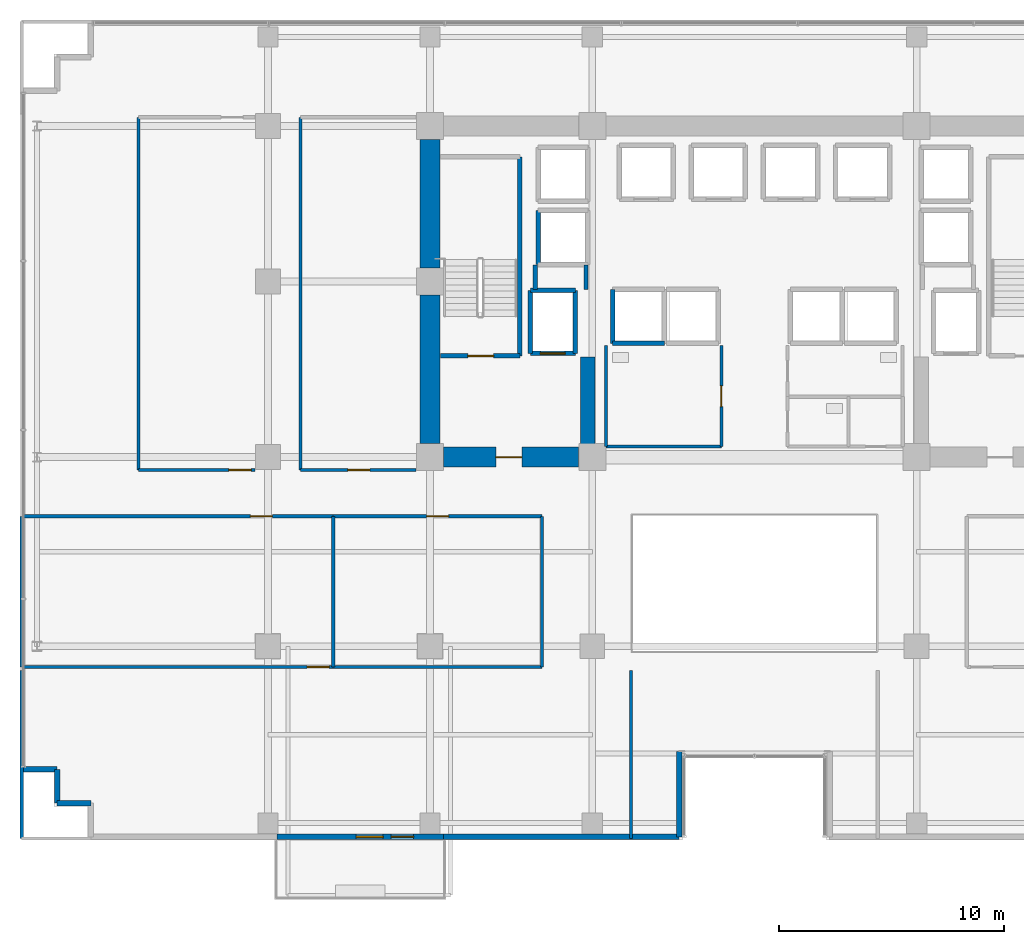
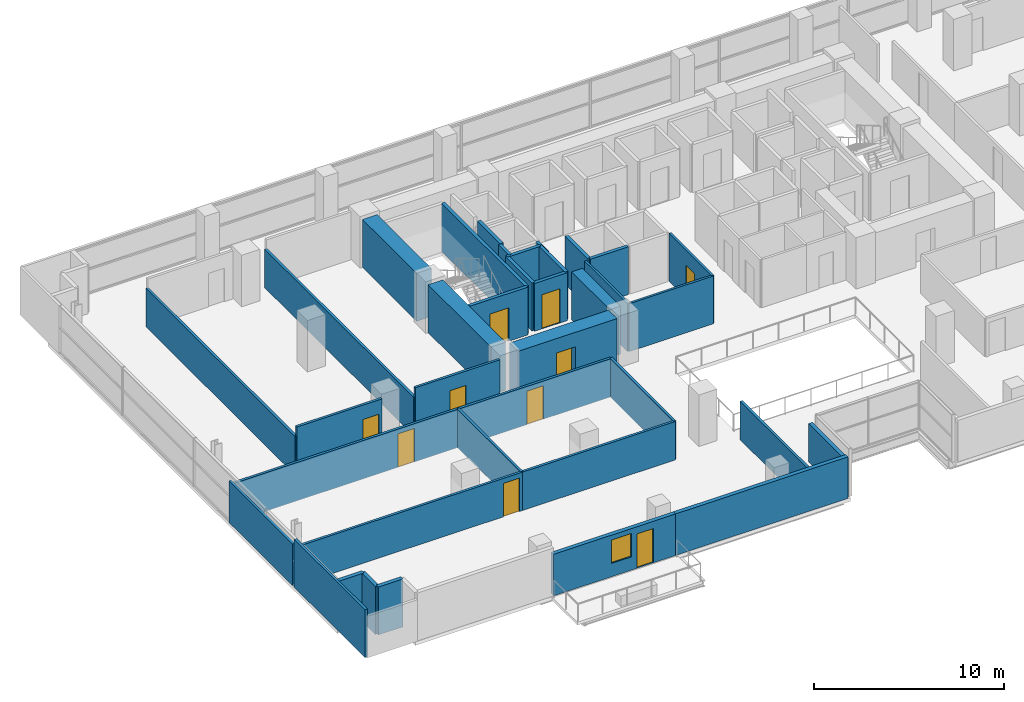
# One storey, part 22 of 29: 37 walls, 10 doors, 1 window, 11 openings.
"""IFC4 building model written with IfcOpenShell, lengths in metres."""

from ifc_helpers import new_model, si_unit, direction, frame, frame_2d, origin, place, context, subcontext, project, spatial, rectangle, extrude, source, transform, mapped, material, layer, layer_set, type_object, element, fill, save


model = new_model("IFC4")

# Units and contexts
model_context = context("Model", 3, precision=1e-05, world=origin(), true_north=direction((0.0, 1.0)))
body_context = subcontext(model_context, "Body", "Model", "MODEL_VIEW")
ifc_project = project(units=[si_unit("LENGTHUNIT", "METRE"), si_unit("AREAUNIT", "SQUARE_METRE"), si_unit("VOLUMEUNIT", "CUBIC_METRE"), si_unit("PLANEANGLEUNIT", "RADIAN"), si_unit("MASSUNIT", "GRAM", prefix="KILO")], contexts=[model_context])

# Site, building, storey
site_placement = place(None, origin())
site = spatial("IfcSite", under=ifc_project, at=site_placement, CompositionType="ELEMENT")
building_placement = place(site_placement, origin())
building = spatial("IfcBuilding", under=site, at=building_placement, Name="Zarnakvel Exchange Tower", CompositionType="ELEMENT")
storey_placement = place(building_placement, frame((0.0, 0.0, 37.300048828125)))
storey = spatial("IfcBuildingStorey", under=building, at=storey_placement, Name="L09", CompositionType="ELEMENT", Elevation=37.300048828125)

# Walls
ifc_material_1 = material(Name="Concrete C80/95", Category="concrete")
ifc_layer_1 = layer(ifc_material_1, 0.89990234375)
ifc_layer_set_1 = layer_set([ifc_layer_1], Name="Concrete C80/95")
wall_type_1 = type_object("IfcWallType", Name="CW-C1", PredefinedType="SHEAR", material=ifc_layer_set_1)
wall_1_placement = place(storey_placement, frame((-14.39990234375, -0.60009765625, 0.0), z_axis=(0.0, 0.0, 1.0), x_axis=(0.0, 1.0, 0.0)))
element("IfcWall", 1, at=wall_1_placement, inside=storey, type_object=wall_type_1, Name="L09 Rear Core Shear Wall W1 (CW-C1)", PredefinedType="SHEAR", context=body_context, shape_type="SweptSolid", body=[
    extrude(rectangle(XDim=6.60009765625, YDim=0.89990234375, at=frame_2d((3.300048828125, 0.0))), origin(), (0.0, 0.0, 1.0), 3.074951171875),
])
wall_2_placement = place(storey_placement, frame((-14.39990234375, 7.199951171875, 0.0), z_axis=(0.0, 0.0, 1.0), x_axis=(0.0, 1.0, 0.0)))
element("IfcWall", 2, at=wall_2_placement, inside=storey, type_object=wall_type_1, Name="L09 Rear Core Shear Wall W2 (CW-C1)", PredefinedType="SHEAR", context=body_context, shape_type="SweptSolid", body=[
    extrude(rectangle(XDim=5.699951171875, YDim=0.89990234375, at=frame_2d((2.85009765625, 0.0))), origin(), (0.0, 0.0, 1.0), 3.074951171875),
])

# Wall, opening, door
wall_3_placement = place(storey_placement, frame((-7.800048828125, -1.199951171875, 0.0), z_axis=(0.0, 0.0, 1.0), x_axis=(-1.0, 0.0, 0.0)))
wall_3 = element("IfcWall", 3, at=wall_3_placement, inside=storey, type_object=wall_type_1, Name="L09 Rear Core Shear Wall SW (CW-C1)", PredefinedType="SHEAR", context=body_context, shape_type="SweptSolid", body=[
    extrude(rectangle(XDim=6.0, YDim=0.89990234375, at=frame_2d((3.0, 0.0))), origin(), (0.0, 0.0, 1.0), 3.074951171875),
])
opening_1_placement = place(wall_3_placement, frame((2.52490234375, 0.0, 0.0)))
opening_1 = element("IfcOpeningElement", 4, at=opening_1_placement, cuts=wall_3, Name="Opening D-L09-03", PredefinedType="OPENING", context=body_context, shape_type="SweptSolid", body=[
    extrude(rectangle(XDim=1.14990234375, YDim=2.14990234375, at=frame_2d((0.574951171875, 1.074951171875))), frame((0.0, 0.4599609375, 0.0), z_axis=(0.0, -1.0, 0.0), x_axis=(1.0, 0.0, 0.0)), (0.0, 0.0, 1.0), 0.919921875),
])
ifc_material_2 = material(Name="Painted Galvanised Steel S355", Category="steel")
door_type_1 = type_object("IfcDoorType", Name="DT-04", OperationType="NOTDEFINED", PredefinedType="DOOR", material=ifc_material_2)
shared_shape_1 = source(origin(), body_context, "Body", "SweptSolid", [
    extrude(rectangle(XDim=1.14990234375, YDim=2.14990234375, at=frame_2d((0.574951171875, 1.074951171875))), frame((0.0, 0.02490234375, 0.0), z_axis=(0.0, -1.0, 0.0), x_axis=(1.0, 0.0, 0.0)), (0.0, 0.0, 1.0), 0.050048828125),
])
door_1_placement = place(opening_1_placement, origin())
door_1 = element("IfcDoor", 5, at=door_1_placement, inside=storey, type_object=door_type_1, Name="L09 Firefighting Lobby West Door D-L09-03", OperationType="SINGLE_SWING_LEFT", OverallHeight=2.14990234375, OverallWidth=1.14990234375, PredefinedType="DOOR", context=body_context, shape_type="MappedRepresentation", body=[
    mapped(shared_shape_1, transform((0.0, 0.0, 0.0), x_axis=(1.0, 0.0, 0.0), y_axis=(0.0, 1.0, 0.0), z_axis=(0.0, 0.0, 1.0), scale=1.0)),
])
fill(opening_1, door_1)

# Wall
ifc_layer_2 = layer(ifc_material_1, 0.64990234375)
ifc_layer_set_2 = layer_set([ifc_layer_2], Name="Concrete C80/95")
wall_type_2 = type_object("IfcWallType", Name="CW-C2", PredefinedType="SHEAR", material=ifc_layer_set_2)
wall_4_placement = place(storey_placement, frame((-7.39990234375, -0.75, 0.0), z_axis=(0.0, 0.0, 1.0), x_axis=(0.0, 1.0, 0.0)))
element("IfcWall", 6, at=wall_4_placement, inside=storey, type_object=wall_type_2, Name="L09 Rear Core Shear Wall IW (CW-C2)", PredefinedType="SHEAR", context=body_context, shape_type="SweptSolid", body=[
    extrude(rectangle(XDim=4.0, YDim=0.64990234375, at=frame_2d((2.0, 0.0))), origin(), (0.0, 0.0, 1.0), 3.074951171875),
])

# Wall, openings, door, window
ifc_material_3 = material(Name="Precast concrete C40/50", Category="concrete")
ifc_layer_3 = layer(ifc_material_3, 0.239990234375)
ifc_layer_set_3 = layer_set([ifc_layer_3], Name="Precast concrete C40/50")
wall_type_3 = type_object("IfcWallType", Name="EW-02", PredefinedType="SOLIDWALL", material=ifc_layer_set_3)
wall_5_placement = place(storey_placement, frame((-13.800048828125, -18.06005859375, 0.0), z_axis=(0.0, 0.0, 1.0), x_axis=(-1.0, 0.0, 0.0)))
wall_5 = element("IfcWall", 7, at=wall_5_placement, inside=storey, type_object=wall_type_3, Name="L09 Exterior Precast Spandrel Wall EW-BAL-L09-SW (EW-02)", PredefinedType="SOLIDWALL", context=body_context, shape_type="SweptSolid", body=[
    extrude(rectangle(XDim=7.39990234375, YDim=0.239990234375, at=frame_2d((3.699951171875, 0.0))), origin(), (0.0, 0.0, 1.0), 2.6650390625),
])
opening_2_placement = place(wall_5_placement, frame((1.33203125, 0.0, 0.0)))
opening_2 = element("IfcOpeningElement", 8, at=opening_2_placement, cuts=wall_5, Name="Opening BD-L09-01", PredefinedType="OPENING", context=body_context, shape_type="SweptSolid", body=[
    extrude(rectangle(XDim=1.0, YDim=2.199951171875, at=frame_2d((0.5, 1.10009765625))), frame((0.0, 0.1298828125, 0.0), z_axis=(0.0, -1.0, 0.0), x_axis=(1.0, 0.0, 0.0)), (0.0, 0.0, 1.0), 0.260009765625),
])
opening_3_placement = place(wall_5_placement, frame((2.681884765625, 0.0, 0.85009765625)))
opening_3 = element("IfcOpeningElement", 9, at=opening_3_placement, cuts=wall_5, Name="Opening WN-04", PredefinedType="OPENING", context=body_context, shape_type="SweptSolid", body=[
    extrude(rectangle(XDim=1.199951171875, YDim=1.5, at=frame_2d((0.60009765625, 0.75))), frame((0.0, 0.1298828125, 0.0), z_axis=(0.0, -1.0, 0.0), x_axis=(1.0, 0.0, 0.0)), (0.0, 0.0, 1.0), 0.260009765625),
])
ifc_material_4 = material(Name="Architectural Bronze Anodised Aluminium", Category="aluminium")
door_type_2 = type_object("IfcDoorType", Name="DT-09", OperationType="NOTDEFINED", PredefinedType="DOOR", material=ifc_material_4)
shared_shape_2 = source(origin(), body_context, "Body", "SweptSolid", [
    extrude(rectangle(XDim=1.0, YDim=2.199951171875, at=frame_2d((0.5, 1.10009765625))), frame((0.0, 0.02490234375, 0.0), z_axis=(0.0, -1.0, 0.0), x_axis=(1.0, 0.0, 0.0)), (0.0, 0.0, 1.0), 0.050048828125),
])
door_2_placement = place(opening_2_placement, origin())
door_2 = element("IfcDoor", 10, at=door_2_placement, inside=storey, type_object=door_type_2, Name="L09 Planted Loggia Balcony Door BD-L09-01", OperationType="SINGLE_SWING_LEFT", OverallHeight=2.199951171875, OverallWidth=1.0, PredefinedType="DOOR", context=body_context, shape_type="MappedRepresentation", body=[
    mapped(shared_shape_2, transform((0.0, 0.0, 0.0), x_axis=(1.0, 0.0, 0.0), y_axis=(0.0, 1.0, 0.0), z_axis=(0.0, 0.0, 1.0), scale=1.0)),
])
fill(opening_2, door_2)
ifc_material_5 = material(Name="Double Low-E Laminated Vision Glass", Category="glass")
window_type = type_object("IfcWindowType", Name="WN-04", PartitioningType="SINGLE_PANEL", PredefinedType="WINDOW", material=ifc_material_5)
shared_shape_3 = source(origin(), body_context, "Body", "SweptSolid", [
    extrude(rectangle(XDim=1.199951171875, YDim=1.5, at=frame_2d((0.60009765625, 0.75))), frame((0.0, 0.030029296875, 0.0), z_axis=(0.0, -1.0, 0.0), x_axis=(1.0, 0.0, 0.0)), (0.0, 0.0, 1.0), 0.06005859375),
])
window_placement = place(opening_3_placement, origin())
window = element("IfcWindow", 11, at=window_placement, inside=storey, type_object=window_type, Name="L09 Loggia Daylight Window (WN-04)", OverallHeight=1.5, OverallWidth=1.199951171875, PartitioningType="SINGLE_PANEL", PredefinedType="WINDOW", context=body_context, shape_type="MappedRepresentation", body=[
    mapped(shared_shape_3, transform((0.0, 0.0, 0.0), x_axis=(1.0, 0.0, 0.0), y_axis=(0.0, 1.0, 0.0), z_axis=(0.0, 0.0, 1.0), scale=1.0)),
])
fill(opening_3, window)

# Walls
wall_6_placement = place(storey_placement, frame((-3.340087890625, -18.06005859375, 0.0), z_axis=(0.0, 0.0, 1.0), x_axis=(0.0, 1.0, 0.0)))
element("IfcWall", 12, at=wall_6_placement, inside=storey, type_object=wall_type_3, Name="L09 Exterior Precast Spandrel Wall EWC-L09-20 (EW-02)", PredefinedType="SOLIDWALL", context=body_context, shape_type="SweptSolid", body=[
    extrude(rectangle(XDim=3.800048828125, YDim=0.239990234375, at=frame_2d((1.89990234375, 0.0))), origin(), (0.0, 0.0, 1.0), 2.46484375),
])
wall_7_placement = place(storey_placement, frame((-13.800048828125, -18.06005859375, 0.0), z_axis=(0.0, 0.0, 1.0), x_axis=(1.0, 0.0, 0.0)))
element("IfcWall", 13, at=wall_7_placement, inside=storey, type_object=wall_type_3, Name="L09 Exterior Precast Spandrel Wall EWC-L09-21 (EW-02)", PredefinedType="SOLIDWALL", context=body_context, shape_type="SweptSolid", body=[
    extrude(rectangle(XDim=10.4599609375, YDim=0.239990234375, at=frame_2d((5.22998046875, 0.0))), origin(), (0.0, 0.0, 1.0), 2.6650390625),
])
for number, where, z_axis, x_axis, name in (
    (14, (-30.9599609375, -16.56005859375, 0.0), (0.0, 0.0, 1.0), (1.0, 0.0, 0.0), "L09 Exterior Precast Spandrel Wall EWC-L09-24 (EW-02)"),
    (15, (-30.9599609375, -15.06005859375, 0.0), (0.0, 0.0, 1.0), (0.0, -1.0, 0.0), "L09 Exterior Precast Spandrel Wall EWC-L09-25 (EW-02)"),
    (16, (-32.4599609375, -15.06005859375, 0.0), (0.0, 0.0, 1.0), (1.0, 0.0, 0.0), "L09 Exterior Precast Spandrel Wall EWC-L09-26 (EW-02)"),
):
    element("IfcWall", number, at=place(storey_placement, frame(where, z_axis=z_axis, x_axis=x_axis)), inside=storey, type_object=wall_type_3, Name=name, PredefinedType="SOLIDWALL", context=body_context, shape_type="SweptSolid", body=[
        extrude(rectangle(XDim=1.5, YDim=0.239990234375, at=frame_2d((0.75, 0.0))), origin(), (0.0, 0.0, 1.0), 3.074951171875),
    ])

# Wall, opening, door
ifc_material_6 = material(Name="Fire-Rated Gypsum Stud Partition", Category="gypsum")
ifc_layer_4 = layer(ifc_material_6, 0.14990234375)
ifc_layer_set_4 = layer_set([ifc_layer_4], Name="Fire-Rated Gypsum Stud Partition")
wall_type_4 = type_object("IfcWallType", Name="PT-01", PredefinedType="PARTITIONING", material=ifc_layer_set_4)
wall_8_placement = place(storey_placement, frame((-18.701904296875, -10.52001953125, 0.0), z_axis=(0.0, 0.0, 1.0), x_axis=(-1.0, 0.0, 0.0)))
wall_8 = element("IfcWall", 17, at=wall_8_placement, inside=storey, type_object=wall_type_4, Name="L09 Partition Wall PWALL-L09-022 (PT-01)", PredefinedType="PARTITIONING", context=body_context, shape_type="SweptSolid", body=[
    extrude(rectangle(XDim=13.828125, YDim=0.14990234375, at=frame_2d((6.9140625, 0.0))), origin(), (0.0, 0.0, 1.0), 2.46484375),
])
opening_4_placement = place(wall_8_placement, frame((0.179931640625, 0.0, 0.0)))
opening_4 = element("IfcOpeningElement", 18, at=opening_4_placement, cuts=wall_8, Name="Opening D-L09-11", PredefinedType="OPENING", context=body_context, shape_type="SweptSolid", body=[
    extrude(rectangle(XDim=0.97998046875, YDim=2.14990234375, at=frame_2d((0.489990234375, 1.074951171875))), frame((0.0, 0.0849609375, 0.0), z_axis=(0.0, -1.0, 0.0), x_axis=(1.0, 0.0, 0.0)), (0.0, 0.0, 1.0), 0.169921875),
])
ifc_material_7 = material(Name="Timber Acoustic Veneer", Category="wood")
door_type_3 = type_object("IfcDoorType", Name="DT-05", OperationType="NOTDEFINED", PredefinedType="DOOR", material=ifc_material_7)
shared_shape_4 = source(origin(), body_context, "Body", "SweptSolid", [
    extrude(rectangle(XDim=0.97998046875, YDim=2.14990234375, at=frame_2d((0.489990234375, 1.074951171875))), frame((0.0, 0.02490234375, 0.0), z_axis=(0.0, -1.0, 0.0), x_axis=(1.0, 0.0, 0.0)), (0.0, 0.0, 1.0), 0.050048828125),
])
door_3_placement = place(opening_4_placement, origin())
door_3 = element("IfcDoor", 19, at=door_3_placement, inside=storey, type_object=door_type_3, Name="L09 Institutional Dealing Room Door D-L09-11", OperationType="SINGLE_SWING_LEFT", OverallHeight=2.14990234375, OverallWidth=0.97998046875, PredefinedType="DOOR", context=body_context, shape_type="MappedRepresentation", body=[
    mapped(shared_shape_4, transform((0.0, 0.0, 0.0), x_axis=(1.0, 0.0, 0.0), y_axis=(0.0, 1.0, 0.0), z_axis=(0.0, 0.0, 1.0), scale=1.0)),
])
fill(opening_4, door_3)

wall_9_placement = place(storey_placement, frame((-32.530029296875, -3.830078125, 0.0), z_axis=(0.0, 0.0, 1.0), x_axis=(1.0, 0.0, 0.0)))
wall_9 = element("IfcWall", 20, at=wall_9_placement, inside=storey, type_object=wall_type_4, Name="L09 Partition Wall PWALL-L09-023 (PT-01)", PredefinedType="PARTITIONING", context=body_context, shape_type="SweptSolid", body=[
    extrude(rectangle(XDim=13.828125, YDim=0.14990234375, at=frame_2d((6.9140625, 0.0))), origin(), (0.0, 0.0, 1.0), 2.46484375),
])
opening_5_placement = place(wall_9_placement, frame((10.14892578125, 0.0, 0.0)))
opening_5 = element("IfcOpeningElement", 21, at=opening_5_placement, cuts=wall_9, Name="Opening D-L09-09", PredefinedType="OPENING", context=body_context, shape_type="SweptSolid", body=[
    extrude(rectangle(XDim=0.97998046875, YDim=2.14990234375, at=frame_2d((0.489990234375, 1.074951171875))), frame((0.0, 0.0849609375, 0.0), z_axis=(0.0, -1.0, 0.0), x_axis=(1.0, 0.0, 0.0)), (0.0, 0.0, 1.0), 0.169921875),
])
door_4_placement = place(opening_5_placement, origin())
door_4 = element("IfcDoor", 22, at=door_4_placement, inside=storey, type_object=door_type_3, Name="L09 Institutional Dealing Room Door D-L09-09", OperationType="SINGLE_SWING_LEFT", OverallHeight=2.14990234375, OverallWidth=0.97998046875, PredefinedType="DOOR", context=body_context, shape_type="MappedRepresentation", body=[
    mapped(shared_shape_4, transform((0.0, 0.0, 0.0), x_axis=(1.0, 0.0, 0.0), y_axis=(0.0, 1.0, 0.0), z_axis=(0.0, 0.0, 1.0), scale=1.0)),
])
fill(opening_5, door_4)

# Walls
wall_10_placement = place(storey_placement, frame((-32.530029296875, -10.52001953125, 0.0), z_axis=(0.0, 0.0, 1.0), x_axis=(0.0, 1.0, 0.0)))
element("IfcWall", 23, at=wall_10_placement, inside=storey, type_object=wall_type_4, Name="L09 Partition Wall PWALL-L09-024 (PT-01)", PredefinedType="PARTITIONING", context=body_context, shape_type="SweptSolid", body=[
    extrude(rectangle(XDim=6.68994140625, YDim=0.14990234375, at=frame_2d((3.344970703125, 0.0))), origin(), (0.0, 0.0, 1.0), 2.6650390625),
])
wall_11_placement = place(storey_placement, frame((-18.701904296875, -3.830078125, 0.0), z_axis=(0.0, 0.0, 1.0), x_axis=(0.0, -1.0, 0.0)))
element("IfcWall", 24, at=wall_11_placement, inside=storey, type_object=wall_type_4, Name="L09 Partition Wall PWALL-L09-025 (PT-01)", PredefinedType="PARTITIONING", context=body_context, shape_type="SweptSolid", body=[
    extrude(rectangle(XDim=6.68994140625, YDim=0.14990234375, at=frame_2d((3.344970703125, 0.0))), origin(), (0.0, 0.0, 1.0), 2.46484375),
])
wall_12_placement = place(storey_placement, frame((-9.429931640625, -10.52001953125, 0.0), z_axis=(0.0, 0.0, 1.0), x_axis=(-1.0, 0.0, 0.0)))
element("IfcWall", 25, at=wall_12_placement, inside=storey, type_object=wall_type_4, Name="L09 Partition Wall PWALL-L09-026 (PT-01)", PredefinedType="PARTITIONING", context=body_context, shape_type="SweptSolid", body=[
    extrude(rectangle(XDim=9.27197265625, YDim=0.14990234375, at=frame_2d((4.635986328125, 0.0))), origin(), (0.0, 0.0, 1.0), 2.46484375),
])

# Wall, opening, door
wall_13_placement = place(storey_placement, frame((-18.701904296875, -3.830078125, 0.0), z_axis=(0.0, 0.0, 1.0), x_axis=(1.0, 0.0, 0.0)))
wall_13 = element("IfcWall", 26, at=wall_13_placement, inside=storey, type_object=wall_type_4, Name="L09 Partition Wall PWALL-L09-027 (PT-01)", PredefinedType="PARTITIONING", context=body_context, shape_type="SweptSolid", body=[
    extrude(rectangle(XDim=9.27197265625, YDim=0.14990234375, at=frame_2d((4.635986328125, 0.0))), origin(), (0.0, 0.0, 1.0), 2.46484375),
])
opening_6_placement = place(wall_13_placement, frame((4.14599609375, 0.0, 0.0)))
opening_6 = element("IfcOpeningElement", 27, at=opening_6_placement, cuts=wall_13, Name="Opening D-L09-10", PredefinedType="OPENING", context=body_context, shape_type="SweptSolid", body=[
    extrude(rectangle(XDim=0.97998046875, YDim=2.14990234375, at=frame_2d((0.489990234375, 1.074951171875))), frame((0.0, 0.0849609375, 0.0), z_axis=(0.0, -1.0, 0.0), x_axis=(1.0, 0.0, 0.0)), (0.0, 0.0, 1.0), 0.169921875),
])
door_5_placement = place(opening_6_placement, origin())
door_5 = element("IfcDoor", 28, at=door_5_placement, inside=storey, type_object=door_type_3, Name="L09 Clearing Office Door D-L09-10", OperationType="SINGLE_SWING_RIGHT", OverallHeight=2.14990234375, OverallWidth=0.97998046875, PredefinedType="DOOR", context=body_context, shape_type="MappedRepresentation", body=[
    mapped(shared_shape_4, transform((0.0, 0.0, 0.0), x_axis=(1.0, 0.0, 0.0), y_axis=(0.0, 1.0, 0.0), z_axis=(0.0, 0.0, 1.0), scale=1.0)),
])
fill(opening_6, door_5)

# Walls
wall_14_placement = place(storey_placement, frame((-9.429931640625, -3.830078125, 0.0), z_axis=(0.0, 0.0, 1.0), x_axis=(0.0, -1.0, 0.0)))
element("IfcWall", 29, at=wall_14_placement, inside=storey, type_object=wall_type_4, Name="L09 Partition Wall PWALL-L09-028 (PT-01)", PredefinedType="PARTITIONING", context=body_context, shape_type="SweptSolid", body=[
    extrude(rectangle(XDim=6.68994140625, YDim=0.14990234375, at=frame_2d((3.344970703125, 0.0))), origin(), (0.0, 0.0, 1.0), 2.46484375),
])
wall_15_placement = place(storey_placement, frame((-32.530029296875, -18.1298828125, 0.0), z_axis=(0.0, 0.0, 1.0), x_axis=(0.0, 1.0, 0.0)))
element("IfcWall", 30, at=wall_15_placement, inside=storey, type_object=wall_type_4, Name="L09 Partition Wall PWALL-L09-030 (PT-01)", PredefinedType="PARTITIONING", context=body_context, shape_type="SweptSolid", body=[
    extrude(rectangle(XDim=7.449951171875, YDim=0.14990234375, at=frame_2d((3.72509765625, 0.0))), origin(), (0.0, 0.0, 1.0), 3.074951171875),
])
wall_16_placement = place(storey_placement, frame((-5.47998046875, -10.679931640625, 0.0), z_axis=(0.0, 0.0, 1.0), x_axis=(0.0, -1.0, 0.0)))
element("IfcWall", 31, at=wall_16_placement, inside=storey, type_object=wall_type_4, Name="L09 Partition Wall PWALL-L09-031 (PT-01)", PredefinedType="PARTITIONING", context=body_context, shape_type="SweptSolid", body=[
    extrude(rectangle(XDim=7.449951171875, YDim=0.14990234375, at=frame_2d((3.72509765625, 0.0))), origin(), (0.0, 0.0, 1.0), 2.46484375),
])

# Wall, opening, door
wall_17_placement = place(storey_placement, frame((-22.169921875, -1.77001953125, 0.0), z_axis=(0.0, 0.0, 1.0), x_axis=(-1.0, 0.0, 0.0)))
wall_17 = element("IfcWall", 32, at=wall_17_placement, inside=storey, type_object=wall_type_4, Name="L09 Partition Wall PWALL-L09-042 (PT-01)", PredefinedType="PARTITIONING", context=body_context, shape_type="SweptSolid", body=[
    extrude(rectangle(XDim=5.176513671875, YDim=0.14990234375, at=frame_2d((2.58837890625, 0.0))), origin(), (0.0, 0.0, 1.0), 3.074951171875),
])
opening_7_placement = place(wall_17_placement, frame((0.179931640625, 0.0, 0.0)))
opening_7 = element("IfcOpeningElement", 33, at=opening_7_placement, cuts=wall_17, Name="Opening D-L09-15", PredefinedType="OPENING", context=body_context, shape_type="SweptSolid", body=[
    extrude(rectangle(XDim=0.97998046875, YDim=2.14990234375, at=frame_2d((0.489990234375, 1.074951171875))), frame((0.0, 0.0849609375, 0.0), z_axis=(0.0, -1.0, 0.0), x_axis=(1.0, 0.0, 0.0)), (0.0, 0.0, 1.0), 0.169921875),
])
door_6_placement = place(opening_7_placement, origin())
door_6 = element("IfcDoor", 34, at=door_6_placement, inside=storey, type_object=door_type_3, Name="L09 Breakout Pantry Door D-L09-15", OperationType="SINGLE_SWING_LEFT", OverallHeight=2.14990234375, OverallWidth=0.97998046875, PredefinedType="DOOR", context=body_context, shape_type="MappedRepresentation", body=[
    mapped(shared_shape_4, transform((0.0, 0.0, 0.0), x_axis=(1.0, 0.0, 0.0), y_axis=(0.0, 1.0, 0.0), z_axis=(0.0, 0.0, 1.0), scale=1.0)),
])
fill(opening_7, door_6)

# Walls
for number, where, z_axis, x_axis, name in (
    (35, (-27.346435546875, -1.77001953125, 0.0), (0.0, 0.0, 1.0), (0.0, 1.0, 0.0), "L09 Partition Wall PWALL-L09-044 (PT-01)"),
    (36, (-20.153564453125, 13.8798828125, 0.0), (0.0, 0.0, 1.0), (0.0, -1.0, 0.0), "L09 Partition Wall PWALL-L09-045 (PT-01)"),
):
    element("IfcWall", number, at=place(storey_placement, frame(where, z_axis=z_axis, x_axis=x_axis)), inside=storey, type_object=wall_type_4, Name=name, PredefinedType="PARTITIONING", context=body_context, shape_type="SweptSolid", body=[
        extrude(rectangle(XDim=15.64990234375, YDim=0.14990234375, at=frame_2d((7.824951171875, 0.0))), origin(), (0.0, 0.0, 1.0), 2.46484375),
    ])

# Wall, opening, door
wall_18_placement = place(storey_placement, frame((-15.02001953125, -1.77001953125, 0.0), z_axis=(0.0, 0.0, 1.0), x_axis=(-1.0, 0.0, 0.0)))
wall_18 = element("IfcWall", 37, at=wall_18_placement, inside=storey, type_object=wall_type_4, Name="L09 Partition Wall PWALL-L09-046 (PT-01)", PredefinedType="PARTITIONING", context=body_context, shape_type="SweptSolid", body=[
    extrude(rectangle(XDim=5.133544921875, YDim=0.14990234375, at=frame_2d((2.56689453125, 0.0))), origin(), (0.0, 0.0, 1.0), 3.074951171875),
])
opening_8_placement = place(wall_18_placement, frame((2.052001953125, 0.0, 0.0)))
opening_8 = element("IfcOpeningElement", 38, at=opening_8_placement, cuts=wall_18, Name="Opening D-L09-16", PredefinedType="OPENING", context=body_context, shape_type="SweptSolid", body=[
    extrude(rectangle(XDim=0.97998046875, YDim=2.14990234375, at=frame_2d((0.489990234375, 1.074951171875))), frame((0.0, 0.0849609375, 0.0), z_axis=(0.0, -1.0, 0.0), x_axis=(1.0, 0.0, 0.0)), (0.0, 0.0, 1.0), 0.169921875),
])
door_7_placement = place(opening_8_placement, origin())
door_7 = element("IfcDoor", 39, at=door_7_placement, inside=storey, type_object=door_type_3, Name="L09 Settlement Office Door D-L09-16", OperationType="SINGLE_SWING_RIGHT", OverallHeight=2.14990234375, OverallWidth=0.97998046875, PredefinedType="DOOR", context=body_context, shape_type="MappedRepresentation", body=[
    mapped(shared_shape_4, transform((0.0, 0.0, 0.0), x_axis=(1.0, 0.0, 0.0), y_axis=(0.0, 1.0, 0.0), z_axis=(0.0, 0.0, 1.0), scale=1.0)),
])
fill(opening_8, door_7)

# Walls
ifc_layer_5 = layer(ifc_material_6, 0.179931640625)
ifc_layer_set_5 = layer_set([ifc_layer_5], Name="Fire-Rated Gypsum Stud Partition")
wall_type_5 = type_object("IfcWallType", Name="PT-02", PredefinedType="PARTITIONING", material=ifc_layer_set_5)
wall_19_placement = place(storey_placement, frame((-9.72998046875, 6.239990234375, 0.0), z_axis=(0.0, 0.0, 1.0), x_axis=(0.0, 1.0, 0.0)))
element("IfcWall", 40, at=wall_19_placement, inside=storey, type_object=wall_type_5, Name="L09 Partition Wall PWALL-L09-007 (PT-02)", PredefinedType="PARTITIONING", context=body_context, shape_type="SweptSolid", body=[
    extrude(rectangle(XDim=1.090087890625, YDim=0.179931640625, at=frame_2d((0.544921875, 0.0))), origin(), (0.0, 0.0, 1.0), 3.074951171875),
])
wall_20_placement = place(storey_placement, frame((-7.469970703125, 7.330078125, 0.0), z_axis=(0.0, 0.0, 1.0), x_axis=(0.0, -1.0, 0.0)))
element("IfcWall", 41, at=wall_20_placement, inside=storey, type_object=wall_type_5, Name="L09 Partition Wall PWALL-L09-008 (PT-02)", PredefinedType="PARTITIONING", context=body_context, shape_type="SweptSolid", body=[
    extrude(rectangle(XDim=1.090087890625, YDim=0.179931640625, at=frame_2d((0.544921875, 0.0))), origin(), (0.0, 0.0, 1.0), 2.46484375),
])
ifc_material_8 = material(Name="Moisture-Resistant Tile-Faced Partition", Category="gypsum")
ifc_layer_6 = layer(ifc_material_8, 0.135009765625)
ifc_layer_set_6 = layer_set([ifc_layer_6], Name="Moisture-Resistant Tile-Faced Partition")
wall_type_6 = type_object("IfcWallType", Name="PT-03", PredefinedType="PARTITIONING", material=ifc_layer_set_6)
wall_21_placement = place(storey_placement, frame((-1.469970703125, -0.72998046875, 0.0), z_axis=(0.0, 0.0, 1.0), x_axis=(-1.0, 0.0, 0.0)))
element("IfcWall", 42, at=wall_21_placement, inside=storey, type_object=wall_type_6, Name="L09 Partition Wall PWALL-L09-011 (PT-03)", PredefinedType="PARTITIONING", context=body_context, shape_type="SweptSolid", body=[
    extrude(rectangle(XDim=5.110107421875, YDim=0.135009765625, at=frame_2d((2.55517578125, 0.0))), origin(), (0.0, 0.0, 1.0), 3.074951171875),
])
wall_22_placement = place(storey_placement, frame((-6.580078125, -0.72998046875, 0.0), z_axis=(0.0, 0.0, 1.0), x_axis=(0.0, 1.0, 0.0)))
element("IfcWall", 43, at=wall_22_placement, inside=storey, type_object=wall_type_6, Name="L09 Partition Wall PWALL-L09-012 (PT-03)", PredefinedType="PARTITIONING", context=body_context, shape_type="SweptSolid", body=[
    extrude(rectangle(XDim=4.489990234375, YDim=0.135009765625, at=frame_2d((2.2451171875, 0.0))), origin(), (0.0, 0.0, 1.0), 3.074951171875),
])

# Wall, opening, door
wall_23_placement = place(storey_placement, frame((-1.469970703125, 3.760009765625, 0.0), z_axis=(0.0, 0.0, 1.0), x_axis=(0.0, -1.0, 0.0)))
wall_23 = element("IfcWall", 44, at=wall_23_placement, inside=storey, type_object=wall_type_6, Name="L09 Partition Wall PWALL-L09-013 (PT-03)", PredefinedType="PARTITIONING", context=body_context, shape_type="SweptSolid", body=[
    extrude(rectangle(XDim=4.489990234375, YDim=0.135009765625, at=frame_2d((2.2451171875, 0.0))), origin(), (0.0, 0.0, 1.0), 3.074951171875),
])
opening_9_placement = place(wall_23_placement, frame((1.800048828125, 0.0, 0.0)))
opening_9 = element("IfcOpeningElement", 45, at=opening_9_placement, cuts=wall_23, Name="Opening D-L09-05", PredefinedType="OPENING", context=body_context, shape_type="SweptSolid", body=[
    extrude(rectangle(XDim=0.919921875, YDim=2.10009765625, at=frame_2d((0.4599609375, 1.050048828125))), frame((0.0, 0.077392578125, 0.0), z_axis=(0.0, -1.0, 0.0), x_axis=(1.0, 0.0, 0.0)), (0.0, 0.0, 1.0), 0.155029296875),
])
ifc_material_9 = material(Name="Moisture-Resistant Laminate Timber", Category="wood")
door_type_4 = type_object("IfcDoorType", Name="DT-07", OperationType="NOTDEFINED", PredefinedType="DOOR", material=ifc_material_9)
shared_shape_5 = source(origin(), body_context, "Body", "SweptSolid", [
    extrude(rectangle(XDim=0.919921875, YDim=2.10009765625, at=frame_2d((0.4599609375, 1.050048828125))), frame((0.0, 0.02490234375, 0.0), z_axis=(0.0, -1.0, 0.0), x_axis=(1.0, 0.0, 0.0)), (0.0, 0.0, 1.0), 0.050048828125),
])
door_8_placement = place(opening_9_placement, origin())
door_8 = element("IfcDoor", 46, at=door_8_placement, inside=storey, type_object=door_type_4, Name="L09 Male Toilet Door D-L09-05", OperationType="SINGLE_SWING_LEFT", OverallHeight=2.10009765625, OverallWidth=0.919921875, PredefinedType="DOOR", context=body_context, shape_type="MappedRepresentation", body=[
    mapped(shared_shape_5, transform((0.0, 0.0, 0.0), x_axis=(1.0, 0.0, 0.0), y_axis=(0.0, 1.0, 0.0), z_axis=(0.0, 0.0, 1.0), scale=1.0)),
])
fill(opening_9, door_8)

ifc_material_10 = material(Name="Concrete C40/50", Category="concrete")
ifc_layer_7 = layer(ifc_material_10, 0.199951171875)
ifc_layer_set_7 = layer_set([ifc_layer_7], Name="Concrete C40/50")
wall_type_7 = type_object("IfcWallType", Name="SW-01", PredefinedType="SOLIDWALL", material=ifc_layer_set_7)
wall_24_placement = place(storey_placement, frame((-7.949951171875, 3.39990234375, 0.0), z_axis=(0.0, 0.0, 1.0), x_axis=(-1.0, 0.0, 0.0)))
wall_24 = element("IfcWall", 47, at=wall_24_placement, inside=storey, type_object=wall_type_7, Name="L09 FL-01 Hoistway Wall South", PredefinedType="SOLIDWALL", context=body_context, shape_type="SweptSolid", body=[
    extrude(rectangle(XDim=2.0, YDim=0.199951171875, at=frame_2d((1.0, 0.0))), origin(), (0.0, 0.0, 1.0), 3.074951171875),
])
opening_10_placement = place(wall_24_placement, frame((0.449951171875, 0.0, 0.0)))
opening_10 = element("IfcOpeningElement", 48, at=opening_10_placement, cuts=wall_24, Name="Opening LD-FL-01-L09", PredefinedType="OPENING", context=body_context, shape_type="SweptSolid", body=[
    extrude(rectangle(XDim=1.10009765625, YDim=2.199951171875, at=frame_2d((0.550048828125, 1.10009765625))), frame((0.0, 0.10986328125, 0.0), z_axis=(0.0, -1.0, 0.0), x_axis=(1.0, 0.0, 0.0)), (0.0, 0.0, 1.0), 0.219970703125),
])
ifc_material_11 = material(Name="Brushed Stainless Steel", Category="steel")
door_type_5 = type_object("IfcDoorType", Name="LDT-01", OperationType="NOTDEFINED", PredefinedType="DOOR", material=ifc_material_11)
shared_shape_6 = source(origin(), body_context, "Body", "SweptSolid", [
    extrude(rectangle(XDim=1.10009765625, YDim=2.199951171875, at=frame_2d((0.550048828125, 1.10009765625))), frame((0.0, 0.02490234375, 0.0), z_axis=(0.0, -1.0, 0.0), x_axis=(1.0, 0.0, 0.0)), (0.0, 0.0, 1.0), 0.050048828125),
])
door_9_placement = place(opening_10_placement, origin())
door_9 = element("IfcDoor", 49, at=door_9_placement, inside=storey, type_object=door_type_5, Name="L09 FL-01 Lift Landing Door LD-FL-01-L09", OperationType="DOUBLE_DOOR_SLIDING", OverallHeight=2.199951171875, OverallWidth=1.10009765625, PredefinedType="DOOR", context=body_context, shape_type="MappedRepresentation", body=[
    mapped(shared_shape_6, transform((0.0, 0.0, 0.0), x_axis=(1.0, 0.0, 0.0), y_axis=(0.0, 1.0, 0.0), z_axis=(0.0, 0.0, 1.0), scale=1.0)),
])
fill(opening_10, door_9)

# Walls
wall_25_placement = place(storey_placement, frame((-9.949951171875, 6.199951171875, 0.0), z_axis=(0.0, 0.0, 1.0), x_axis=(1.0, 0.0, 0.0)))
element("IfcWall", 50, at=wall_25_placement, inside=storey, type_object=wall_type_7, Name="L09 FL-01 Hoistway Wall North", PredefinedType="SOLIDWALL", context=body_context, shape_type="SweptSolid", body=[
    extrude(rectangle(XDim=2.0, YDim=0.199951171875, at=frame_2d((1.0, 0.0))), origin(), (0.0, 0.0, 1.0), 3.074951171875),
])
for number, where, z_axis, x_axis, name in (
    (51, (-9.949951171875, 3.39990234375, 0.0), (0.0, 0.0, 1.0), (0.0, 1.0, 0.0), "L09 FL-01 Hoistway Wall West"),
    (52, (-7.949951171875, 6.199951171875, 0.0), (0.0, 0.0, 1.0), (0.0, -1.0, 0.0), "L09 FL-01 Hoistway Wall East"),
):
    element("IfcWall", number, at=place(storey_placement, frame(where, z_axis=z_axis, x_axis=x_axis)), inside=storey, type_object=wall_type_7, Name=name, PredefinedType="SOLIDWALL", context=body_context, shape_type="SweptSolid", body=[
        extrude(rectangle(XDim=2.800048828125, YDim=0.199951171875, at=frame_2d((1.39990234375, 0.0))), origin(), (0.0, 0.0, 1.0), 3.074951171875),
    ])
wall_26_placement = place(storey_placement, frame((-4.0, 3.85009765625, 0.0), z_axis=(0.0, 0.0, 1.0), x_axis=(-1.0, 0.0, 0.0)))
element("IfcWall", 53, at=wall_26_placement, inside=storey, type_object=wall_type_7, Name="L09 PL-05 Hoistway Wall South", PredefinedType="SOLIDWALL", context=body_context, shape_type="SweptSolid", body=[
    extrude(rectangle(XDim=2.300048828125, YDim=0.199951171875, at=frame_2d((1.14990234375, 0.0))), origin(), (0.0, 0.0, 1.0), 3.074951171875),
])
for number, where, z_axis, x_axis, name in (
    (54, (-6.300048828125, 3.85009765625, 0.0), (0.0, 0.0, 1.0), (0.0, 1.0, 0.0), "L09 PL-05 Hoistway Wall West"),
    (55, (-9.60009765625, 7.35009765625, 0.0), (0.0, 0.0, 1.0), (0.0, 1.0, 0.0), "L09 PL-09 Hoistway Wall West"),
):
    element("IfcWall", number, at=place(storey_placement, frame(where, z_axis=z_axis, x_axis=x_axis)), inside=storey, type_object=wall_type_7, Name=name, PredefinedType="SOLIDWALL", context=body_context, shape_type="SweptSolid", body=[
        extrude(rectangle(XDim=2.39990234375, YDim=0.199951171875, at=frame_2d((1.199951171875, 0.0))), origin(), (0.0, 0.0, 1.0), 3.074951171875),
    ])

# Wall, opening, door
ifc_layer_8 = layer(ifc_material_10, 0.199951171875)
ifc_layer_set_8 = layer_set([ifc_layer_8], Name="Concrete C40/50")
wall_type_8 = type_object("IfcWallType", Name="SW-02", PredefinedType="SOLIDWALL", material=ifc_layer_set_8)
wall_27_placement = place(storey_placement, frame((-10.409912109375, 3.2900390625, 0.0), z_axis=(0.0, 0.0, 1.0), x_axis=(-1.0, 0.0, 0.0)))
wall_27 = element("IfcWall", 56, at=wall_27_placement, inside=storey, type_object=wall_type_8, Name="L09 Stairwell Core Wall PWALL-L09-001 (SW-02)", PredefinedType="SOLIDWALL", context=body_context, shape_type="SweptSolid", body=[
    extrude(rectangle(XDim=3.52001953125, YDim=0.199951171875, at=frame_2d((1.760009765625, 0.0))), origin(), (0.0, 0.0, 1.0), 3.074951171875),
])
opening_11_placement = place(wall_27_placement, frame((1.1650390625, 0.0, 0.0)))
opening_11 = element("IfcOpeningElement", 57, at=opening_11_placement, cuts=wall_27, Name="Opening D-L09-01", PredefinedType="OPENING", context=body_context, shape_type="SweptSolid", body=[
    extrude(rectangle(XDim=1.14990234375, YDim=2.14990234375, at=frame_2d((0.574951171875, 1.074951171875))), frame((0.0, 0.10986328125, 0.0), z_axis=(0.0, -1.0, 0.0), x_axis=(1.0, 0.0, 0.0)), (0.0, 0.0, 1.0), 0.219970703125),
])
door_10_placement = place(opening_11_placement, origin())
door_10 = element("IfcDoor", 58, at=door_10_placement, inside=storey, type_object=door_type_1, Name="L09 Stairwell ST-01 Door D-L09-01", OperationType="SINGLE_SWING_LEFT", OverallHeight=2.14990234375, OverallWidth=1.14990234375, PredefinedType="DOOR", context=body_context, shape_type="MappedRepresentation", body=[
    mapped(shared_shape_1, transform((0.0, 0.0, 0.0), x_axis=(1.0, 0.0, 0.0), y_axis=(0.0, 1.0, 0.0), z_axis=(0.0, 0.0, 1.0), scale=1.0)),
])
fill(opening_11, door_10)

# Wall
wall_28_placement = place(storey_placement, frame((-10.409912109375, 12.1298828125, 0.0), z_axis=(0.0, 0.0, 1.0), x_axis=(0.0, -1.0, 0.0)))
element("IfcWall", 59, at=wall_28_placement, inside=storey, type_object=wall_type_8, Name="L09 Stairwell Core Wall PWALL-L09-003 (SW-02)", PredefinedType="SOLIDWALL", context=body_context, shape_type="SweptSolid", body=[
    extrude(rectangle(XDim=8.83984375, YDim=0.199951171875, at=frame_2d((4.419921875, 0.0))), origin(), (0.0, 0.0, 1.0), 3.074951171875),
])

save(model, "model.ifc")
